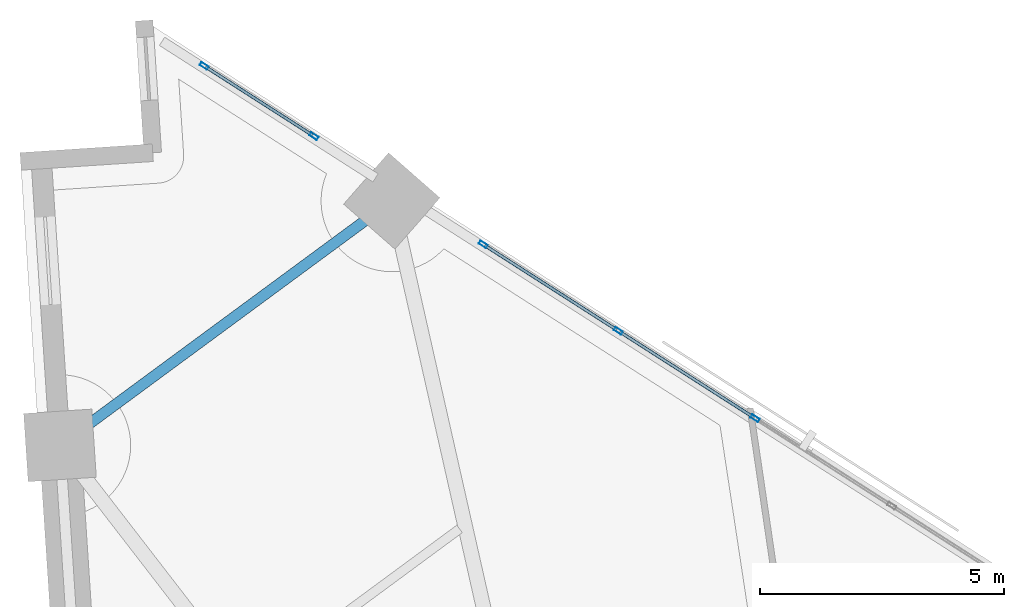
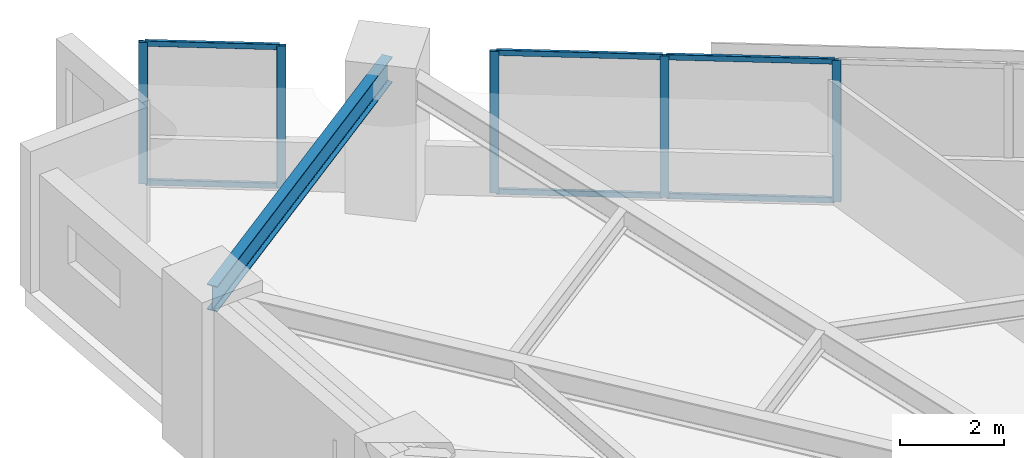
# One storey, part 9 of 17: 11 members, 1 beam, 2 elements without a shape of their own.
"""IFC4 building model written with IfcOpenShell, lengths in metres."""

from ifc_helpers import new_model, si_unit, direction, frame, origin, origin_2d, place, context, subcontext, project, spatial, hollow_rectangle, i_section, extrude, material, material_profile, profile_set, type_object, element, aggregate, save


model = new_model("IFC4")

# Units and contexts
model_context = context("Model", 3, precision=1e-05, world=origin(), true_north=direction((0.0, 1.0)))
body_context = subcontext(model_context, "Body", "Model", "MODEL_VIEW")
ifc_project = project(units=[si_unit("LENGTHUNIT", "METRE"), si_unit("AREAUNIT", "SQUARE_METRE"), si_unit("VOLUMEUNIT", "CUBIC_METRE"), si_unit("PLANEANGLEUNIT", "RADIAN"), si_unit("MASSUNIT", "GRAM", prefix="KILO")], contexts=[model_context])

# Site, building, storey
site_placement = place(None, origin())
site = spatial("IfcSite", under=ifc_project, at=site_placement, CompositionType="ELEMENT")
building_placement = place(site_placement, origin())
building = spatial("IfcBuilding", under=site, at=building_placement, Name="Narakoshi Arena Tower", CompositionType="ELEMENT")
storey_placement = place(building_placement, frame((0.0, 0.0, 63.300048828125)))
storey = spatial("IfcBuildingStorey", under=building, at=storey_placement, Name="L16", CompositionType="ELEMENT", Elevation=63.300048828125)

# Beam
ifc_material_1 = material(Name="Structural steel S355J2", Category="steel")
ifc_material_profile_1 = material_profile(ifc_material_1, i_section(OverallWidth=0.219970703125, OverallDepth=0.60009765625, WebThickness=0.011962890625, FlangeThickness=0.01904296875, FilletRadius=0.02392578125, at=origin_2d()), Name="IPE600")
ifc_profile_set_1 = profile_set([ifc_material_profile_1], Name="Structural steel S355J2")
beam_type = type_object("IfcBeamType", Name="BM-EDGE-600", PredefinedType="BEAM", material=ifc_profile_set_1)
beam_placement = place(storey_placement, frame((67.58984375, 76.04345703125, 3.0400390625), z_axis=(-0.805132069621, -0.59309556605, 0.0), x_axis=(0.59309556605, -0.805132069621, 0.0)))
element("IfcBeam", 1, at=beam_placement, inside=storey, type_object=beam_type, Name="L16 Perimeter Edge Girder 11", PredefinedType="BEAM", context=body_context, shape_type="SweptSolid", body=[
    extrude(i_section(OverallWidth=0.219970703125, OverallDepth=0.60009765625, WebThickness=0.011962890625, FlangeThickness=0.01904296875, FilletRadius=0.02392578125, at=origin_2d()), origin(), (0.0, 0.0, 1.0), 8.451416015625),
])

# Curtain wall, members
ifc_material_2 = material(Name="Anodised bronze aluminium 6063-T6", Category="aluminium")
curtain_wall_type = type_object("IfcCurtainWallType", Name="CW-HYP-LOW", PredefinedType="NOTDEFINED", material=ifc_material_2)
curtain_wall_1_placement = place(storey_placement, origin())
curtain_wall_1 = element("IfcCurtainWall", 2, at=curtain_wall_1_placement, inside=storey, type_object=curtain_wall_type, Name="L16 Folded Hypotenuse Curtain Wall 2-2", PredefinedType="NOTDEFINED")
ifc_material_profile_2 = material_profile(ifc_material_2, hollow_rectangle(XDim=0.074951171875, YDim=0.179931640625, WallThickness=0.00390625, OuterFilletRadius=0.0048828125, at=origin_2d()), Name="MUL180x75x4")
ifc_profile_set_2 = profile_set([ifc_material_profile_2], Name="Anodised bronze aluminium 6063-T6")
member_type_1 = type_object("IfcMemberType", Name="MEM-MUL-180", PredefinedType="MULLION", material=ifc_profile_set_2)
member_1_placement = place(storey_placement, frame((75.039794921875, 71.5869140625, 0.0), z_axis=(0.0, 0.0, 1.0), x_axis=(-0.538829098714, -0.842415100992, 0.0)))
member_1 = element("IfcMember", 3, at=member_1_placement, type_object=member_type_1, Name="CW-01 mullion 4", PredefinedType="MULLION", context=body_context, shape_type="SweptSolid", body=[
    extrude(hollow_rectangle(XDim=0.074951171875, YDim=0.179931640625, WallThickness=0.00390625, OuterFilletRadius=0.0048828125, at=origin_2d()), origin(), (0.0, 0.0, 1.0), 3.33984375),
])
member_2_placement = place(storey_placement, frame((72.236083984375, 73.380126953125, 0.0), z_axis=(0.0, 0.0, 1.0), x_axis=(-0.538829098714, -0.842415100992, 0.0)))
member_2 = element("IfcMember", 4, at=member_2_placement, type_object=member_type_1, Name="CW-01 mullion 5", PredefinedType="MULLION", context=body_context, shape_type="SweptSolid", body=[
    extrude(hollow_rectangle(XDim=0.074951171875, YDim=0.179931640625, WallThickness=0.00390625, OuterFilletRadius=0.0048828125, at=origin_2d()), origin(), (0.0, 0.0, 1.0), 3.33984375),
])
member_3_placement = place(storey_placement, frame((69.464111328125, 75.1533203125, 0.0), z_axis=(0.0, 0.0, 1.0), x_axis=(-0.538829098714, -0.842415100992, 0.0)))
member_3 = element("IfcMember", 5, at=member_3_placement, type_object=member_type_1, Name="CW-01 mullion 6", PredefinedType="MULLION", context=body_context, shape_type="SweptSolid", body=[
    extrude(hollow_rectangle(XDim=0.074951171875, YDim=0.179931640625, WallThickness=0.00390625, OuterFilletRadius=0.0048828125, at=origin_2d()), origin(), (0.0, 0.0, 1.0), 3.33984375),
])

curtain_wall_2_placement = place(storey_placement, origin())
curtain_wall_2 = element("IfcCurtainWall", 6, at=curtain_wall_2_placement, inside=storey, type_object=curtain_wall_type, Name="L16 Folded Hypotenuse Curtain Wall 2-3", PredefinedType="NOTDEFINED")
member_4_placement = place(storey_placement, frame((65.99462890625, 77.372314453125, 0.0), z_axis=(0.0, 0.0, 1.0), x_axis=(-0.538841109017, -0.842407418791, 0.0)))
member_4 = element("IfcMember", 7, at=member_4_placement, type_object=member_type_1, Name="CW-01 mullion 1", PredefinedType="MULLION", context=body_context, shape_type="SweptSolid", body=[
    extrude(hollow_rectangle(XDim=0.074951171875, YDim=0.179931640625, WallThickness=0.00390625, OuterFilletRadius=0.0048828125, at=origin_2d()), origin(), (0.0, 0.0, 1.0), 3.33984375),
])
member_5_placement = place(storey_placement, frame((63.7412109375, 78.813720703125, 0.0), z_axis=(0.0, 0.0, 1.0), x_axis=(-0.538841109017, -0.842407418791, 0.0)))
member_5 = element("IfcMember", 8, at=member_5_placement, type_object=member_type_1, Name="CW-01 mullion 2", PredefinedType="MULLION", context=body_context, shape_type="SweptSolid", body=[
    extrude(hollow_rectangle(XDim=0.074951171875, YDim=0.179931640625, WallThickness=0.00390625, OuterFilletRadius=0.0048828125, at=origin_2d()), origin(), (0.0, 0.0, 1.0), 3.33984375),
])

# Member
ifc_material_profile_3 = material_profile(ifc_material_2, hollow_rectangle(XDim=0.06494140625, YDim=0.1298828125, WallThickness=0.00390625, OuterFilletRadius=0.0048828125, at=origin_2d()), Name="TRN130x65x4")
ifc_profile_set_3 = profile_set([ifc_material_profile_3], Name="Anodised bronze aluminium 6063-T6")
member_type_2 = type_object("IfcMemberType", Name="MEM-TRN-130", PredefinedType="USERDEFINED", material=ifc_profile_set_3)
member_6_placement = place(storey_placement, frame((75.00830078125, 71.60693359375, 0.032470703125), z_axis=(-0.842407668774, 0.5388407182, 0.0), x_axis=(-0.5388407182, -0.842407668774, 0.0)))
member_6 = element("IfcMember", 9, at=member_6_placement, type_object=member_type_2, Name="CW-01 transom 4.1", ObjectType="TRANSOM", PredefinedType="USERDEFINED", context=body_context, shape_type="SweptSolid", body=[
    extrude(hollow_rectangle(XDim=0.06494140625, YDim=0.1298828125, WallThickness=0.00390625, OuterFilletRadius=0.0048828125, at=origin_2d()), origin(), (0.0, 0.0, 1.0), 3.253173828125),
])

member_7_placement = place(storey_placement, frame((75.00830078125, 71.60693359375, 3.307373046875), z_axis=(-0.842407668774, 0.5388407182, 0.0), x_axis=(-0.5388407182, -0.842407668774, 0.0)))
member_7 = element("IfcMember", 10, at=member_7_placement, type_object=member_type_2, Name="CW-01 transom 4.2", ObjectType="TRANSOM", PredefinedType="USERDEFINED", context=body_context, shape_type="SweptSolid", body=[
    extrude(hollow_rectangle(XDim=0.06494140625, YDim=0.1298828125, WallThickness=0.00390625, OuterFilletRadius=0.0048828125, at=origin_2d()), origin(), (0.0, 0.0, 1.0), 3.253173828125),
])

member_8_placement = place(storey_placement, frame((72.20458984375, 73.400390625, 0.032470703125), z_axis=(-0.842424416084, 0.538814535053, 0.0), x_axis=(-0.538814535053, -0.842424416084, 0.0)))
member_8 = element("IfcMember", 11, at=member_8_placement, type_object=member_type_2, Name="CW-01 transom 5.1", ObjectType="TRANSOM", PredefinedType="USERDEFINED", context=body_context, shape_type="SweptSolid", body=[
    extrude(hollow_rectangle(XDim=0.06494140625, YDim=0.1298828125, WallThickness=0.00390625, OuterFilletRadius=0.0048828125, at=origin_2d()), origin(), (0.0, 0.0, 1.0), 3.2158203125),
])

member_9_placement = place(storey_placement, frame((72.20458984375, 73.400390625, 3.307373046875), z_axis=(-0.842424416084, 0.538814535053, 0.0), x_axis=(-0.538814535053, -0.842424416084, 0.0)))
member_9 = element("IfcMember", 12, at=member_9_placement, type_object=member_type_2, Name="CW-01 transom 5.2", ObjectType="TRANSOM", PredefinedType="USERDEFINED", context=body_context, shape_type="SweptSolid", body=[
    extrude(hollow_rectangle(XDim=0.06494140625, YDim=0.1298828125, WallThickness=0.00390625, OuterFilletRadius=0.0048828125, at=origin_2d()), origin(), (0.0, 0.0, 1.0), 3.2158203125),
])

aggregate(curtain_wall_1, [member_1, member_2, member_3, member_6, member_7, member_8, member_9])

member_10_placement = place(storey_placement, frame((65.963134765625, 77.392578125, 0.032470703125), z_axis=(-0.84237541022, 0.538891146946, 0.0), x_axis=(-0.538891146946, -0.84237541022, 0.0)))
member_10 = element("IfcMember", 13, at=member_10_placement, type_object=member_type_2, Name="CW-01 transom 1.1", ObjectType="TRANSOM", PredefinedType="USERDEFINED", context=body_context, shape_type="SweptSolid", body=[
    extrude(hollow_rectangle(XDim=0.06494140625, YDim=0.1298828125, WallThickness=0.00390625, OuterFilletRadius=0.0048828125, at=origin_2d()), origin(), (0.0, 0.0, 1.0), 2.60009765625),
])

member_11_placement = place(storey_placement, frame((65.963134765625, 77.392578125, 3.307373046875), z_axis=(-0.84237541022, 0.538891146946, 0.0), x_axis=(-0.538891146946, -0.84237541022, 0.0)))
member_11 = element("IfcMember", 14, at=member_11_placement, type_object=member_type_2, Name="CW-01 transom 1.2", ObjectType="TRANSOM", PredefinedType="USERDEFINED", context=body_context, shape_type="SweptSolid", body=[
    extrude(hollow_rectangle(XDim=0.06494140625, YDim=0.1298828125, WallThickness=0.00390625, OuterFilletRadius=0.0048828125, at=origin_2d()), origin(), (0.0, 0.0, 1.0), 2.60009765625),
])

aggregate(curtain_wall_2, [member_4, member_5, member_10, member_11])

save(model, "model.ifc")
